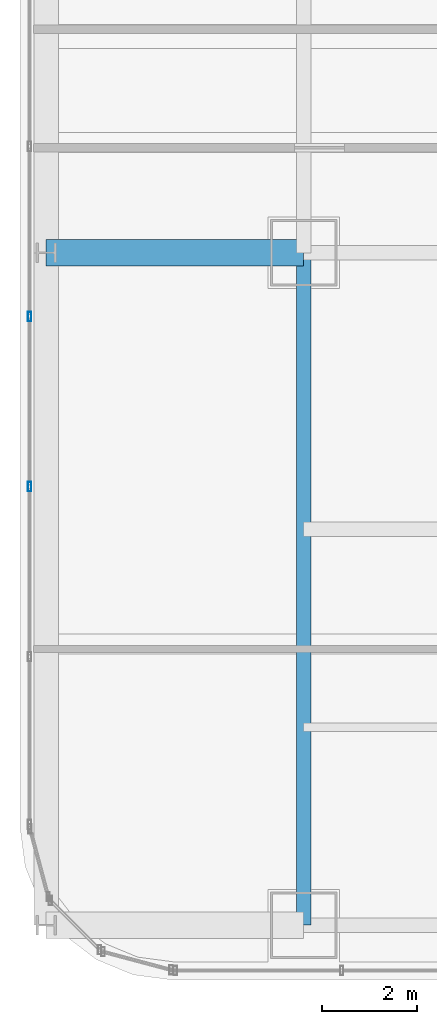
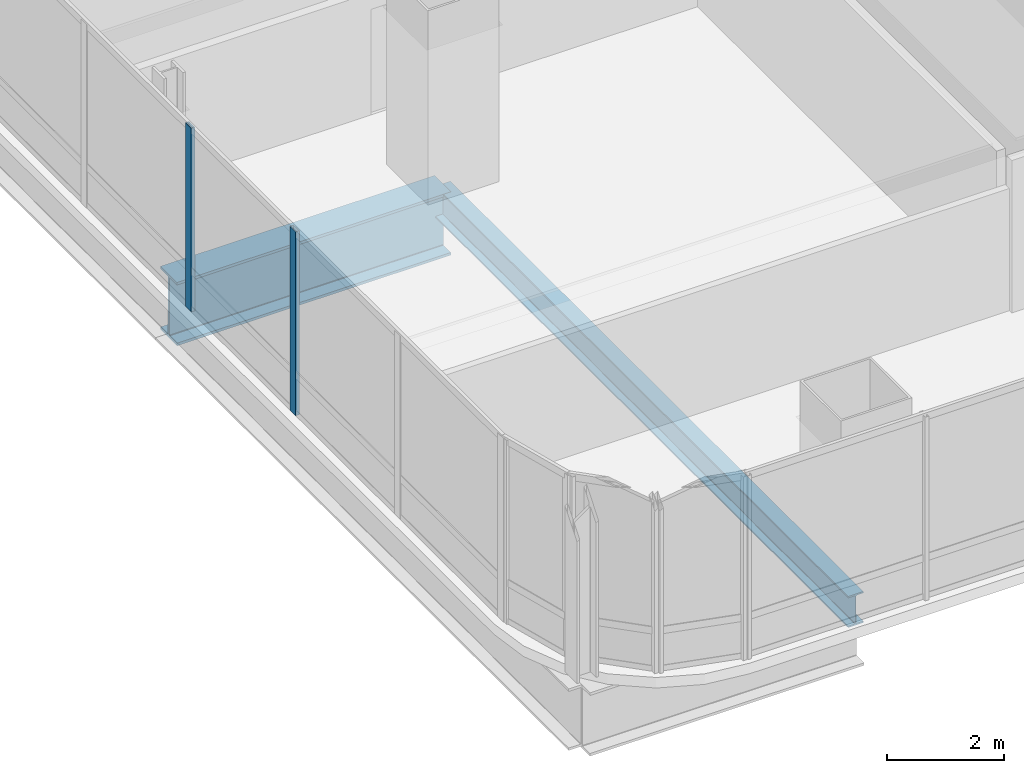
# One storey, part 5 of 37: 2 beams, 2 members, 1 element without a shape of its own.
"""IFC4 building model written with IfcOpenShell, lengths in metres."""

import ifcopenshell
import ifcopenshell.guid

model = None  # the IFC model being written
_history = None  # IfcOwnerHistory: only IFC2X3 demands one
_inside = {}  # id of a spatial element -> (the spatial element, [elements in it])
_under = {}  # id of a project, library or spatial element -> (it, [spatial elements below it])
_declared = {}  # id of a project -> (the project, [libraries it declares])
_typed = {}  # id of a type object -> (the type object, [elements of that type])
_made_of = {}  # id of a material, layer set ... -> (it, [elements and type objects made of it])


def new_model(schema):
    """Start an empty IFC model of exactly this schema.

    Asked for "IFC4X3", IfcOpenShell would pick the latest addendum, in which some entities
    have other attributes; the version numbers below select the first issue.
    IFC2X3 requires an IfcOwnerHistory on every rooted entity: one is made here for all.
    """
    global model, _history
    if schema == "IFC4X3":
        model = ifcopenshell.file(schema_version=(4, 3, 0, 0))
    else:
        model = ifcopenshell.file(schema=schema)
    _inside.clear()
    _under.clear()
    _declared.clear()
    _typed.clear()
    _made_of.clear()
    _history = None
    if model.schema == "IFC2X3":
        org = make("IfcOrganization", Name="unknown")
        user = make(
            "IfcPersonAndOrganization",
            ThePerson=make("IfcPerson", FamilyName="unknown"),
            TheOrganization=org,
        )
        app = make(
            "IfcApplication",
            ApplicationDeveloper=org,
            Version="unknown",
            ApplicationFullName="unknown",
            ApplicationIdentifier="unknown",
        )
        _history = make(
            "IfcOwnerHistory",
            OwningUser=user,
            OwningApplication=app,
            ChangeAction="ADDED",
            CreationDate=0,
        )
    return model


def make(cls, **values):
    """One entity of the class cls with the attributes given. An attribute that is None is left unset."""
    return model.create_entity(
        cls, **{name: value for name, value in values.items() if value is not None}
    )


def rooted(cls, **values):
    """An entity with a GlobalId (a new one), such as an element, a storey or a relation."""
    return make(cls, GlobalId=ifcopenshell.guid.new(), OwnerHistory=_history, **values)


def si_unit(unit_type, name, prefix=None):
    """IfcSIUnit, for example si_unit("LENGTHUNIT", "METRE", prefix="MILLI")."""
    return make("IfcSIUnit", UnitType=unit_type, Prefix=prefix, Name=name)


def assignment(units):
    """IfcUnitAssignment: the units of a project."""
    return None if units is None else make("IfcUnitAssignment", Units=units)


def point(xyz):
    """IfcCartesianPoint."""
    return None if xyz is None else make("IfcCartesianPoint", Coordinates=xyz)


def direction(xyz):
    """IfcDirection."""
    return None if xyz is None else make("IfcDirection", DirectionRatios=xyz)


def frame(location, z_axis=None, x_axis=None):
    """IfcAxis2Placement3D, a coordinate frame: its origin and axes. An axis left out is left unset."""
    return make(
        "IfcAxis2Placement3D",
        Location=point(location),
        Axis=direction(z_axis),
        RefDirection=direction(x_axis),
    )


def frame_2d(location, x_axis=None):
    """IfcAxis2Placement2D, a coordinate frame in the plane: its origin and x axis."""
    return make(
        "IfcAxis2Placement2D", Location=point(location), RefDirection=direction(x_axis)
    )


def origin():
    """The frame at (0, 0, 0) with its axes left unset."""
    return frame((0.0, 0.0, 0.0))


def origin_2d():
    """The frame at (0, 0) in the plane with its x axis left unset."""
    return frame_2d((0.0, 0.0))


def place(relative_to, where):
    """IfcLocalPlacement: puts the frame where relative to a parent placement (None: the world)."""
    return make(
        "IfcLocalPlacement", PlacementRelTo=relative_to, RelativePlacement=where
    )


def context(
    kind, dimensions, precision=None, world=None, true_north=None, identifier=None
):
    """IfcGeometricRepresentationContext, for example the 3D "Model" context."""
    return make(
        "IfcGeometricRepresentationContext",
        ContextIdentifier=identifier,
        ContextType=kind,
        CoordinateSpaceDimension=dimensions,
        Precision=precision,
        WorldCoordinateSystem=world,
        TrueNorth=true_north,
    )


def subcontext(parent, identifier, kind, view, scale=None):
    """IfcGeometricRepresentationSubContext, for example "Body" below "Model"."""
    return make(
        "IfcGeometricRepresentationSubContext",
        ContextIdentifier=identifier,
        ContextType=kind,
        ParentContext=parent,
        TargetScale=scale,
        TargetView=view,
    )


def project(units=None, contexts=None):
    """IfcProject with its units and contexts."""
    return rooted(
        "IfcProject",
        Name="project",
        RepresentationContexts=contexts,
        UnitsInContext=assignment(units),
    )


def spatial(cls, under=None, at=None, **own):
    """A site, building, storey or space (cls), placed at a placement, below another one or the project."""
    s = rooted(cls, ObjectPlacement=at, **own)
    if under is not None:
        _under.setdefault(under.id(), (under, []))[1].append(s)
    return s


def profile(cls, at=None, kind="AREA", **sizes):
    """A parametric profile (cls). Its sizes go by their IFC names, for example OverallWidth=200.0."""
    return make(cls, ProfileType=kind, Position=at, **sizes)


def hollow_rectangle(**sizes):
    """IfcRectangleHollowProfileDef."""
    return profile("IfcRectangleHollowProfileDef", **sizes)


def i_section(**sizes):
    """IfcIShapeProfileDef."""
    return profile("IfcIShapeProfileDef", **sizes)


def extrude(swept, where, along, depth):
    """IfcExtrudedAreaSolid: the profile swept, set in the frame where, extruded along a direction by depth."""
    return make(
        "IfcExtrudedAreaSolid",
        SweptArea=swept,
        Position=where,
        ExtrudedDirection=direction(along),
        Depth=depth,
    )


def shape(context_of_items, identifier, shape_type, items):
    """IfcShapeRepresentation: the items that make up one representation, for example the "Body"."""
    return make(
        "IfcShapeRepresentation",
        ContextOfItems=context_of_items,
        RepresentationIdentifier=identifier,
        RepresentationType=shape_type,
        Items=items,
    )


def material(Name=None, Category=None):
    """IfcMaterial."""
    return make("IfcMaterial", Name=Name, Category=Category)


def material_profile(
    of_material, cross_section, Name=None, Category=None, Priority=None
):
    """IfcMaterialProfile: a cross section and its material."""
    return make(
        "IfcMaterialProfile",
        Name=Name,
        Material=of_material,
        Profile=cross_section,
        Priority=Priority,
        Category=Category,
    )


def profile_set(profiles, Name=None, composite=None):
    """IfcMaterialProfileSet."""
    return make(
        "IfcMaterialProfileSet",
        Name=Name,
        MaterialProfiles=profiles,
        CompositeProfile=composite,
    )


def made_of(thing, what):
    """Note that an element or type object is made of a material, layer set ...; save() writes the relation."""
    if what is not None:
        _made_of.setdefault(what.id(), (what, []))[1].append(thing)
    return thing


def type_object(cls, material=None, **own):
    """A type object (cls), such as IfcWallType, which elements share."""
    return made_of(rooted(cls, **own), material)


def element(
    cls,
    number,
    at=None,
    inside=None,
    cuts=None,
    type_object=None,
    material=None,
    context=None,
    identifier="Body",
    shape_type=None,
    held_by="IfcProductDefinitionShape",
    body=None,
    shapes=None,
    **own,
):
    """One element of the class cls, such as IfcWall. Its Tag is "e" and its number.

    at: its placement. inside: the storey or other place that contains it. cuts: it is an
    opening in that element (IfcRelVoidsElement). A single representation is given by context,
    identifier, shape_type and body (its items); several are given by shapes. held_by: the class
    of the entity that holds the representations. save() writes the other relations.
    """
    e = rooted(cls, Tag="e%d" % number, ObjectPlacement=at, **own)
    if body is not None:
        shapes = [shape(context, identifier, shape_type, body)]
    if shapes is not None:
        e.Representation = make(held_by, Representations=shapes)
    if inside is not None:
        _inside.setdefault(inside.id(), (inside, []))[1].append(e)
    if cuts is not None:
        rooted(
            "IfcRelVoidsElement", RelatingBuildingElement=cuts, RelatedOpeningElement=e
        )
    if type_object is not None:
        _typed.setdefault(type_object.id(), (type_object, []))[1].append(e)
    return made_of(e, material)


def aggregate(whole, parts):
    """IfcRelAggregates: a whole, such as a stair, and the parts it consists of."""
    return rooted("IfcRelAggregates", RelatingObject=whole, RelatedObjects=parts)


def save(model, path):
    """Write the relations noted so far, then the file.

    IfcRelAggregates (storeys below a building ...), IfcRelContainedInSpatialStructure (elements
    in a storey), IfcRelDefinesByType, IfcRelAssociatesMaterial and IfcRelDeclares: one each for
    every whole, place, type object, material and project.
    """
    for whole, parts in _under.values():
        aggregate(whole, parts)
    for where, things in _inside.values():
        rooted(
            "IfcRelContainedInSpatialStructure",
            RelatedElements=things,
            RelatingStructure=where,
        )
    for kind, things in _typed.values():
        rooted("IfcRelDefinesByType", RelatedObjects=things, RelatingType=kind)
    for what, things in _made_of.values():
        rooted("IfcRelAssociatesMaterial", RelatedObjects=things, RelatingMaterial=what)
    for by, libraries in _declared.values():
        rooted("IfcRelDeclares", RelatingContext=by, RelatedDefinitions=libraries)
    model.write(path)


model = new_model("IFC4")

# Units and contexts
model_context = context("Model", 3, precision=1e-05, world=origin(), true_north=direction((0.0, 1.0)))
body_context = subcontext(model_context, "Body", "Model", "MODEL_VIEW")
ifc_project = project(units=[si_unit("LENGTHUNIT", "METRE"), si_unit("AREAUNIT", "SQUARE_METRE"), si_unit("VOLUMEUNIT", "CUBIC_METRE"), si_unit("PLANEANGLEUNIT", "RADIAN"), si_unit("MASSUNIT", "GRAM", prefix="KILO")], contexts=[model_context])

# Site, building, storey
site_placement = place(None, origin())
site = spatial("IfcSite", under=ifc_project, at=site_placement, CompositionType="ELEMENT")
building_placement = place(site_placement, origin())
building = spatial("IfcBuilding", under=site, at=building_placement, Name="Punatoya Terracotta Tower", CompositionType="ELEMENT")
storey_placement = place(building_placement, frame((0.0, 0.0, 164.10009765625)))
storey = spatial("IfcBuildingStorey", under=building, at=storey_placement, Name="L38", CompositionType="ELEMENT", Elevation=164.10009765625)

# Beams
ifc_material_1 = material(Name="Steel S355", Category="steel")
ifc_material_profile_1 = material_profile(ifc_material_1, i_section(OverallWidth=0.300048828125, OverallDepth=0.64990234375, WebThickness=0.01611328125, FlangeThickness=0.031005859375, FilletRadius=0.01806640625, at=origin_2d()))
ifc_profile_set_1 = profile_set([ifc_material_profile_1], Name="Steel S355")
beam_type_1 = type_object("IfcBeamType", Name="BM-PRI-650", PredefinedType="BEAM", material=ifc_profile_set_1)
beam_1_placement = place(storey_placement, frame((-19.10009765625, -17.5, -0.545166015625), z_axis=(0.0, 1.0, 0.0), x_axis=(-1.0, 0.0, 0.0)))
element("IfcBeam", 1, at=beam_1_placement, inside=storey, type_object=beam_type_1, Name="BM-L38-RG-W1", PredefinedType="BEAM", context=body_context, shape_type="SweptSolid", body=[
    extrude(i_section(OverallWidth=0.300048828125, OverallDepth=0.64990234375, WebThickness=0.01611328125, FlangeThickness=0.031005859375, FilletRadius=0.01806640625, at=origin_2d()), origin(), (0.0, 0.0, 1.0), 14.10009765625),
])
ifc_material_2 = material(Name="Steel S460", Category="steel")
ifc_material_profile_2 = material_profile(ifc_material_2, i_section(OverallWidth=0.56005859375, OverallDepth=1.320068359375, WebThickness=0.035888671875, FlangeThickness=0.054931640625, FilletRadius=0.01806640625, at=origin_2d()))
ifc_profile_set_2 = profile_set([ifc_material_profile_2], Name="Steel S460")
beam_type_2 = type_object("IfcBeamType", Name="BM-TG-BLK", PredefinedType="BEAM", material=ifc_profile_set_2)
beam_2_placement = place(storey_placement, frame((-24.5, -3.39990234375, -0.880126953125), z_axis=(1.0, 0.0, 0.0), x_axis=(0.0, 1.0, 0.0)))
element("IfcBeam", 2, at=beam_2_placement, inside=storey, type_object=beam_type_2, Name="BM-L38-CANT-W2", PredefinedType="BEAM", context=body_context, shape_type="SweptSolid", body=[
    extrude(i_section(OverallWidth=0.56005859375, OverallDepth=1.320068359375, WebThickness=0.035888671875, FlangeThickness=0.054931640625, FilletRadius=0.01806640625, at=origin_2d()), origin(), (0.0, 0.0, 1.0), 5.39990234375),
])

# Curtain wall, members
ifc_material_3 = material(Name="Aluminium 6063-T6 + Double Low-E Glass", Category="aluminium")
curtain_wall_type = type_object("IfcCurtainWallType", Name="CW-M2", PredefinedType="NOTDEFINED", material=ifc_material_3)
curtain_wall_placement = place(storey_placement, origin())
curtain_wall = element("IfcCurtainWall", 3, at=curtain_wall_placement, inside=storey, type_object=curtain_wall_type, Name="L38 Curtain Wall CW-L38-W13-1", PredefinedType="NOTDEFINED")
ifc_material_4 = material(Name="Aluminium 6063-T6", Category="aluminium")
ifc_material_profile_3 = material_profile(ifc_material_4, hollow_rectangle(XDim=0.072021484375, YDim=0.195068359375, WallThickness=0.00439453125, at=origin_2d()))
ifc_profile_set_3 = profile_set([ifc_material_profile_3], Name="Aluminium 6063-T6")
member_type = type_object("IfcMemberType", Name="CW-MUL-M2", PredefinedType="MULLION", material=ifc_profile_set_3)
member_1_placement = place(storey_placement, frame((-24.85009765625, -4.73486328125, 0.0), z_axis=(0.0, 0.0, 1.0), x_axis=(1.0, 0.0, 0.0)))
member_1 = element("IfcMember", 4, at=member_1_placement, type_object=member_type, Name="CW-L38-W13-1 Mullion 07", PredefinedType="MULLION", context=body_context, shape_type="SweptSolid", body=[
    extrude(hollow_rectangle(XDim=0.072021484375, YDim=0.195068359375, WallThickness=0.00439453125, at=origin_2d()), origin(), (0.0, 0.0, 1.0), 3.829833984375),
])
member_2_placement = place(storey_placement, frame((-24.85009765625, -8.302001953125, 0.0), z_axis=(0.0, 0.0, 1.0), x_axis=(1.0, 0.0, 0.0)))
member_2 = element("IfcMember", 5, at=member_2_placement, type_object=member_type, Name="CW-L38-W13-1 Mullion 08", PredefinedType="MULLION", context=body_context, shape_type="SweptSolid", body=[
    extrude(hollow_rectangle(XDim=0.072021484375, YDim=0.195068359375, WallThickness=0.00439453125, at=origin_2d()), origin(), (0.0, 0.0, 1.0), 3.829833984375),
])
aggregate(curtain_wall, [member_1, member_2])

save(model, "model.ifc")
